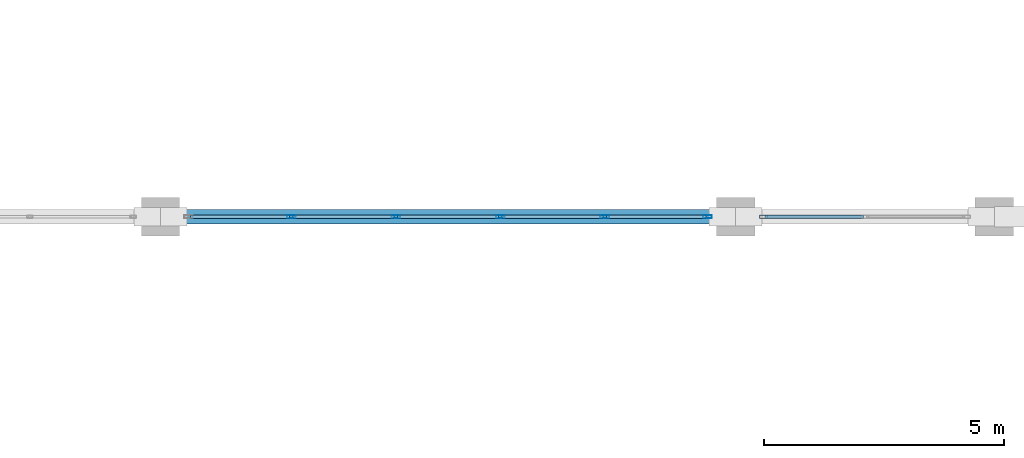
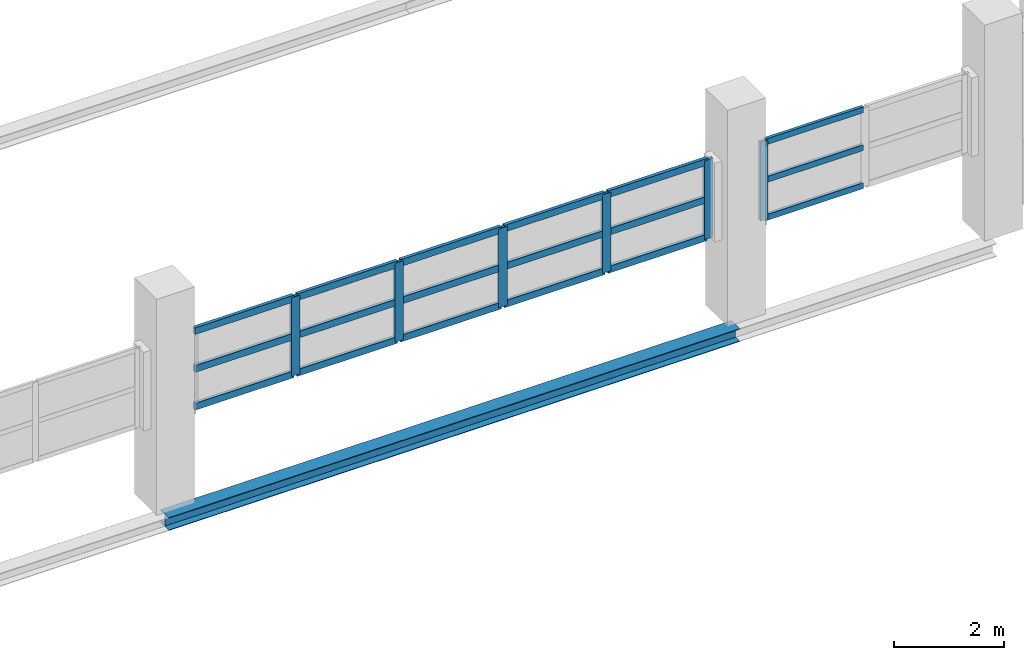
# One storey, part 54 of 86: 24 members, 1 beam, 2 elements without a shape of their own.
"""IFC4 building model written with IfcOpenShell, lengths in metres."""

from ifc_helpers import new_model, si_unit, direction, frame, origin, origin_2d, place, context, subcontext, project, spatial, hollow_rectangle, i_section, extrude, material, layer, layer_set, material_profile, profile_set, type_object, element, aggregate, save


model = new_model("IFC4")

# Units and contexts
model_context = context("Model", 3, precision=1e-05, world=origin(), true_north=direction((0.0, 1.0)))
body_context = subcontext(model_context, "Body", "Model", "MODEL_VIEW")
ifc_project = project(units=[si_unit("LENGTHUNIT", "METRE"), si_unit("AREAUNIT", "SQUARE_METRE"), si_unit("VOLUMEUNIT", "CUBIC_METRE"), si_unit("PLANEANGLEUNIT", "RADIAN"), si_unit("MASSUNIT", "GRAM", prefix="KILO")], contexts=[model_context])

# Site, building, storey
site_placement = place(None, origin())
site = spatial("IfcSite", under=ifc_project, at=site_placement, CompositionType="ELEMENT")
building_placement = place(site_placement, origin())
building = spatial("IfcBuilding", under=site, at=building_placement, Name="Zilviju Railside Exhibition Hall", CompositionType="ELEMENT")
storey_placement = place(building_placement, frame((0.0, 0.0, 12.60009765625)))
storey = spatial("IfcBuildingStorey", under=building, at=storey_placement, Name="L04", CompositionType="ELEMENT", Elevation=12.60009765625)

# Beam
ifc_material_1 = material(Name="Steel S355J2", Category="steel")
ifc_material_profile_1 = material_profile(ifc_material_1, i_section(OverallWidth=0.300048828125, OverallDepth=0.2900390625, WebThickness=0.008544921875, FlangeThickness=0.013916015625, at=origin_2d()), Name="HEA 300")
ifc_profile_set_1 = profile_set([ifc_material_profile_1], Name="Steel S355J2")
beam_type = type_object("IfcBeamType", Name="BM-HEA300", PredefinedType="SPANDREL", material=ifc_profile_set_1)
beam_placement = place(storey_placement, frame((108.0, 138.0, -0.485107421875), z_axis=(1.0, 0.0, 0.0), x_axis=(0.0, 1.0, 0.0)))
element("IfcBeam", 1, at=beam_placement, inside=storey, type_object=beam_type, Name="Primary Girder L04 Y=138.0 (108.0..120.0)", PredefinedType="SPANDREL", context=body_context, shape_type="SweptSolid", body=[
    extrude(i_section(OverallWidth=0.300048828125, OverallDepth=0.2900390625, WebThickness=0.008544921875, FlangeThickness=0.013916015625, at=origin_2d()), origin(), (0.0, 0.0, 1.0), 12.0),
])

# Curtain wall, member
ifc_material_2 = material(Name="Thermally broken aluminium-steel triple-glazed curtain wall", Category="steel")
ifc_layer_1 = layer(ifc_material_2, 0.179931640625)
ifc_layer_set_1 = layer_set([ifc_layer_1], Name="Thermally broken aluminium-steel triple-glazed curtain wall")
curtain_wall_type_1 = type_object("IfcCurtainWallType", Name="CW-BAY-04", PredefinedType="USERDEFINED", material=ifc_layer_set_1)
curtain_wall_1_placement = place(storey_placement, origin())
curtain_wall_1 = element("IfcCurtainWall", 2, at=curtain_wall_1_placement, inside=storey, type_object=curtain_wall_type_1, Name="North Hall Clerestory Curtain Wall L04 (120..125)", ObjectType="GLAZED CURTAIN WALL", PredefinedType="USERDEFINED")
ifc_material_3 = material(Name="Thermally broken anodized aluminium mullion", Category="aluminium")
ifc_material_profile_2 = material_profile(ifc_material_3, hollow_rectangle(XDim=0.06494140625, YDim=0.159912109375, WallThickness=0.0048828125, at=origin_2d()), Name="MULLION 160x65x5")
ifc_profile_set_2 = profile_set([ifc_material_profile_2], Name="Thermally broken anodized aluminium mullion")
member_type_1 = type_object("IfcMemberType", Name="CWM-65x160", PredefinedType="MULLION", material=ifc_profile_set_2)
member_1_placement = place(storey_placement, frame((120.58251953125, 138.0, 1.7998046875), z_axis=(0.0, 0.0, 1.0), x_axis=(0.0, 1.0, 0.0)))
member_1 = element("IfcMember", 3, at=member_1_placement, type_object=member_type_1, Name="CW-04 mullion 1", PredefinedType="MULLION", context=body_context, shape_type="SweptSolid", body=[
    extrude(hollow_rectangle(XDim=0.06494140625, YDim=0.159912109375, WallThickness=0.0048828125, at=origin_2d()), origin(), (0.0, 0.0, 1.0), 1.75),
])

# Curtain wall, members
ifc_layer_2 = layer(ifc_material_2, 0.179931640625)
ifc_layer_set_2 = layer_set([ifc_layer_2], Name="Thermally broken aluminium-steel triple-glazed curtain wall")
curtain_wall_type_2 = type_object("IfcCurtainWallType", Name="CW-BAY-03", PredefinedType="USERDEFINED", material=ifc_layer_set_2)
curtain_wall_2_placement = place(storey_placement, origin())
curtain_wall_2 = element("IfcCurtainWall", 4, at=curtain_wall_2_placement, inside=storey, type_object=curtain_wall_type_2, Name="North Hall Clerestory Curtain Wall L04 (108..120)", ObjectType="GLAZED CURTAIN WALL", PredefinedType="USERDEFINED")
ifc_material_profile_3 = material_profile(ifc_material_3, hollow_rectangle(XDim=0.070068359375, YDim=0.179931640625, WallThickness=0.0048828125, at=origin_2d()), Name="MULLION 180x70x5")
ifc_profile_set_3 = profile_set([ifc_material_profile_3], Name="Thermally broken anodized aluminium mullion")
member_type_2 = type_object("IfcMemberType", Name="CWM-70x180", PredefinedType="MULLION", material=ifc_profile_set_3)
member_2_placement = place(storey_placement, frame((110.72998046875, 138.0, 1.7998046875), z_axis=(0.0, 0.0, 1.0), x_axis=(0.0, 1.0, 0.0)))
member_2 = element("IfcMember", 5, at=member_2_placement, type_object=member_type_2, Name="CW-03 mullion 2", PredefinedType="MULLION", context=body_context, shape_type="SweptSolid", body=[
    extrude(hollow_rectangle(XDim=0.070068359375, YDim=0.179931640625, WallThickness=0.0048828125, at=origin_2d()), origin(), (0.0, 0.0, 1.0), 1.75),
])
member_3_placement = place(storey_placement, frame((112.909912109375, 138.0, 1.7998046875), z_axis=(0.0, 0.0, 1.0), x_axis=(0.0, 1.0, 0.0)))
member_3 = element("IfcMember", 6, at=member_3_placement, type_object=member_type_2, Name="CW-03 mullion 3", PredefinedType="MULLION", context=body_context, shape_type="SweptSolid", body=[
    extrude(hollow_rectangle(XDim=0.070068359375, YDim=0.179931640625, WallThickness=0.0048828125, at=origin_2d()), origin(), (0.0, 0.0, 1.0), 1.75),
])
member_4_placement = place(storey_placement, frame((115.090087890625, 138.0, 1.7998046875), z_axis=(0.0, 0.0, 1.0), x_axis=(0.0, 1.0, 0.0)))
member_4 = element("IfcMember", 7, at=member_4_placement, type_object=member_type_2, Name="CW-03 mullion 4", PredefinedType="MULLION", context=body_context, shape_type="SweptSolid", body=[
    extrude(hollow_rectangle(XDim=0.070068359375, YDim=0.179931640625, WallThickness=0.0048828125, at=origin_2d()), origin(), (0.0, 0.0, 1.0), 1.75),
])
member_5_placement = place(storey_placement, frame((117.27001953125, 138.0, 1.7998046875), z_axis=(0.0, 0.0, 1.0), x_axis=(0.0, 1.0, 0.0)))
member_5 = element("IfcMember", 8, at=member_5_placement, type_object=member_type_2, Name="CW-03 mullion 5", PredefinedType="MULLION", context=body_context, shape_type="SweptSolid", body=[
    extrude(hollow_rectangle(XDim=0.070068359375, YDim=0.179931640625, WallThickness=0.0048828125, at=origin_2d()), origin(), (0.0, 0.0, 1.0), 1.75),
])
member_6_placement = place(storey_placement, frame((119.4150390625, 138.0, 1.7998046875), z_axis=(0.0, 0.0, 1.0), x_axis=(0.0, 1.0, 0.0)))
member_6 = element("IfcMember", 9, at=member_6_placement, type_object=member_type_2, Name="CW-03 mullion 6", PredefinedType="MULLION", context=body_context, shape_type="SweptSolid", body=[
    extrude(hollow_rectangle(XDim=0.070068359375, YDim=0.179931640625, WallThickness=0.0048828125, at=origin_2d()), origin(), (0.0, 0.0, 1.0), 1.75),
])

# Member
ifc_material_4 = material(Name="Thermally broken anodized aluminium transom", Category="aluminium")
ifc_material_profile_4 = material_profile(ifc_material_4, hollow_rectangle(XDim=0.06494140625, YDim=0.1298828125, WallThickness=0.0048828125, at=origin_2d()), Name="TRANSOM 130x65x5")
ifc_profile_set_4 = profile_set([ifc_material_profile_4], Name="Thermally broken anodized aluminium transom")
member_type_3 = type_object("IfcMemberType", Name="CWT-65x130", PredefinedType="USERDEFINED", material=ifc_profile_set_4)
member_7_placement = place(storey_placement, frame((120.614990234375, 138.0, 1.83251953125), z_axis=(1.0, 0.0, 0.0), x_axis=(0.0, 1.0, 0.0)))
member_7 = element("IfcMember", 10, at=member_7_placement, type_object=member_type_3, Name="CW-04 transom 1.1", ObjectType="TRANSOM", PredefinedType="USERDEFINED", context=body_context, shape_type="SweptSolid", body=[
    extrude(hollow_rectangle(XDim=0.06494140625, YDim=0.1298828125, WallThickness=0.0048828125, at=origin_2d()), origin(), (0.0, 0.0, 1.0), 2.052490234375),
])

member_8_placement = place(storey_placement, frame((120.614990234375, 138.0, 2.6748046875), z_axis=(1.0, 0.0, 0.0), x_axis=(0.0, 1.0, 0.0)))
member_8 = element("IfcMember", 11, at=member_8_placement, type_object=member_type_3, Name="CW-04 transom 1.2", ObjectType="TRANSOM", PredefinedType="USERDEFINED", context=body_context, shape_type="SweptSolid", body=[
    extrude(hollow_rectangle(XDim=0.06494140625, YDim=0.1298828125, WallThickness=0.0048828125, at=origin_2d()), origin(), (0.0, 0.0, 1.0), 2.052490234375),
])

member_9_placement = place(storey_placement, frame((120.614990234375, 138.0, 3.517333984375), z_axis=(1.0, 0.0, 0.0), x_axis=(0.0, 1.0, 0.0)))
member_9 = element("IfcMember", 12, at=member_9_placement, type_object=member_type_3, Name="CW-04 transom 1.3", ObjectType="TRANSOM", PredefinedType="USERDEFINED", context=body_context, shape_type="SweptSolid", body=[
    extrude(hollow_rectangle(XDim=0.06494140625, YDim=0.1298828125, WallThickness=0.0048828125, at=origin_2d()), origin(), (0.0, 0.0, 1.0), 2.052490234375),
])

aggregate(curtain_wall_1, [member_1, member_7, member_8, member_9])

ifc_material_profile_5 = material_profile(ifc_material_4, hollow_rectangle(XDim=0.070068359375, YDim=0.14990234375, WallThickness=0.0048828125, at=origin_2d()), Name="TRANSOM 150x70x5")
ifc_profile_set_5 = profile_set([ifc_material_profile_5], Name="Thermally broken anodized aluminium transom")
member_type_4 = type_object("IfcMemberType", Name="CWT-70x150", PredefinedType="USERDEFINED", material=ifc_profile_set_5)
member_10_placement = place(storey_placement, frame((108.6201171875, 138.0, 1.8349609375), z_axis=(1.0, 0.0, 0.0), x_axis=(0.0, 1.0, 0.0)))
member_10 = element("IfcMember", 13, at=member_10_placement, type_object=member_type_4, Name="CW-03 transom 1.1", ObjectType="TRANSOM", PredefinedType="USERDEFINED", context=body_context, shape_type="SweptSolid", body=[
    extrude(hollow_rectangle(XDim=0.070068359375, YDim=0.14990234375, WallThickness=0.0048828125, at=origin_2d()), origin(), (0.0, 0.0, 1.0), 2.074951171875),
])

member_11_placement = place(storey_placement, frame((108.6201171875, 138.0, 2.6748046875), z_axis=(1.0, 0.0, 0.0), x_axis=(0.0, 1.0, 0.0)))
member_11 = element("IfcMember", 14, at=member_11_placement, type_object=member_type_4, Name="CW-03 transom 1.2", ObjectType="TRANSOM", PredefinedType="USERDEFINED", context=body_context, shape_type="SweptSolid", body=[
    extrude(hollow_rectangle(XDim=0.070068359375, YDim=0.14990234375, WallThickness=0.0048828125, at=origin_2d()), origin(), (0.0, 0.0, 1.0), 2.074951171875),
])

member_12_placement = place(storey_placement, frame((108.6201171875, 138.0, 3.514892578125), z_axis=(1.0, 0.0, 0.0), x_axis=(0.0, 1.0, 0.0)))
member_12 = element("IfcMember", 15, at=member_12_placement, type_object=member_type_4, Name="CW-03 transom 1.3", ObjectType="TRANSOM", PredefinedType="USERDEFINED", context=body_context, shape_type="SweptSolid", body=[
    extrude(hollow_rectangle(XDim=0.070068359375, YDim=0.14990234375, WallThickness=0.0048828125, at=origin_2d()), origin(), (0.0, 0.0, 1.0), 2.074951171875),
])

member_13_placement = place(storey_placement, frame((110.764892578125, 138.0, 1.8349609375), z_axis=(1.0, 0.0, 0.0), x_axis=(0.0, 1.0, 0.0)))
member_13 = element("IfcMember", 16, at=member_13_placement, type_object=member_type_4, Name="CW-03 transom 2.1", ObjectType="TRANSOM", PredefinedType="USERDEFINED", context=body_context, shape_type="SweptSolid", body=[
    extrude(hollow_rectangle(XDim=0.070068359375, YDim=0.14990234375, WallThickness=0.0048828125, at=origin_2d()), origin(), (0.0, 0.0, 1.0), 2.110107421875),
])

member_14_placement = place(storey_placement, frame((110.764892578125, 138.0, 2.6748046875), z_axis=(1.0, 0.0, 0.0), x_axis=(0.0, 1.0, 0.0)))
member_14 = element("IfcMember", 17, at=member_14_placement, type_object=member_type_4, Name="CW-03 transom 2.2", ObjectType="TRANSOM", PredefinedType="USERDEFINED", context=body_context, shape_type="SweptSolid", body=[
    extrude(hollow_rectangle(XDim=0.070068359375, YDim=0.14990234375, WallThickness=0.0048828125, at=origin_2d()), origin(), (0.0, 0.0, 1.0), 2.110107421875),
])

member_15_placement = place(storey_placement, frame((110.764892578125, 138.0, 3.514892578125), z_axis=(1.0, 0.0, 0.0), x_axis=(0.0, 1.0, 0.0)))
member_15 = element("IfcMember", 18, at=member_15_placement, type_object=member_type_4, Name="CW-03 transom 2.3", ObjectType="TRANSOM", PredefinedType="USERDEFINED", context=body_context, shape_type="SweptSolid", body=[
    extrude(hollow_rectangle(XDim=0.070068359375, YDim=0.14990234375, WallThickness=0.0048828125, at=origin_2d()), origin(), (0.0, 0.0, 1.0), 2.110107421875),
])

member_16_placement = place(storey_placement, frame((112.945068359375, 138.0, 1.8349609375), z_axis=(1.0, 0.0, 0.0), x_axis=(0.0, 1.0, 0.0)))
member_16 = element("IfcMember", 19, at=member_16_placement, type_object=member_type_4, Name="CW-03 transom 3.1", ObjectType="TRANSOM", PredefinedType="USERDEFINED", context=body_context, shape_type="SweptSolid", body=[
    extrude(hollow_rectangle(XDim=0.070068359375, YDim=0.14990234375, WallThickness=0.0048828125, at=origin_2d()), origin(), (0.0, 0.0, 1.0), 2.10986328125),
])

member_17_placement = place(storey_placement, frame((112.945068359375, 138.0, 2.6748046875), z_axis=(1.0, 0.0, 0.0), x_axis=(0.0, 1.0, 0.0)))
member_17 = element("IfcMember", 20, at=member_17_placement, type_object=member_type_4, Name="CW-03 transom 3.2", ObjectType="TRANSOM", PredefinedType="USERDEFINED", context=body_context, shape_type="SweptSolid", body=[
    extrude(hollow_rectangle(XDim=0.070068359375, YDim=0.14990234375, WallThickness=0.0048828125, at=origin_2d()), origin(), (0.0, 0.0, 1.0), 2.10986328125),
])

member_18_placement = place(storey_placement, frame((112.945068359375, 138.0, 3.514892578125), z_axis=(1.0, 0.0, 0.0), x_axis=(0.0, 1.0, 0.0)))
member_18 = element("IfcMember", 21, at=member_18_placement, type_object=member_type_4, Name="CW-03 transom 3.3", ObjectType="TRANSOM", PredefinedType="USERDEFINED", context=body_context, shape_type="SweptSolid", body=[
    extrude(hollow_rectangle(XDim=0.070068359375, YDim=0.14990234375, WallThickness=0.0048828125, at=origin_2d()), origin(), (0.0, 0.0, 1.0), 2.10986328125),
])

member_19_placement = place(storey_placement, frame((115.125, 138.0, 1.8349609375), z_axis=(1.0, 0.0, 0.0), x_axis=(0.0, 1.0, 0.0)))
member_19 = element("IfcMember", 22, at=member_19_placement, type_object=member_type_4, Name="CW-03 transom 4.1", ObjectType="TRANSOM", PredefinedType="USERDEFINED", context=body_context, shape_type="SweptSolid", body=[
    extrude(hollow_rectangle(XDim=0.070068359375, YDim=0.14990234375, WallThickness=0.0048828125, at=origin_2d()), origin(), (0.0, 0.0, 1.0), 2.110107421875),
])

member_20_placement = place(storey_placement, frame((115.125, 138.0, 2.6748046875), z_axis=(1.0, 0.0, 0.0), x_axis=(0.0, 1.0, 0.0)))
member_20 = element("IfcMember", 23, at=member_20_placement, type_object=member_type_4, Name="CW-03 transom 4.2", ObjectType="TRANSOM", PredefinedType="USERDEFINED", context=body_context, shape_type="SweptSolid", body=[
    extrude(hollow_rectangle(XDim=0.070068359375, YDim=0.14990234375, WallThickness=0.0048828125, at=origin_2d()), origin(), (0.0, 0.0, 1.0), 2.110107421875),
])

member_21_placement = place(storey_placement, frame((115.125, 138.0, 3.514892578125), z_axis=(1.0, 0.0, 0.0), x_axis=(0.0, 1.0, 0.0)))
member_21 = element("IfcMember", 24, at=member_21_placement, type_object=member_type_4, Name="CW-03 transom 4.3", ObjectType="TRANSOM", PredefinedType="USERDEFINED", context=body_context, shape_type="SweptSolid", body=[
    extrude(hollow_rectangle(XDim=0.070068359375, YDim=0.14990234375, WallThickness=0.0048828125, at=origin_2d()), origin(), (0.0, 0.0, 1.0), 2.110107421875),
])

member_22_placement = place(storey_placement, frame((117.304931640625, 138.0, 1.8349609375), z_axis=(1.0, 0.0, 0.0), x_axis=(0.0, 1.0, 0.0)))
member_22 = element("IfcMember", 25, at=member_22_placement, type_object=member_type_4, Name="CW-03 transom 5.1", ObjectType="TRANSOM", PredefinedType="USERDEFINED", context=body_context, shape_type="SweptSolid", body=[
    extrude(hollow_rectangle(XDim=0.070068359375, YDim=0.14990234375, WallThickness=0.0048828125, at=origin_2d()), origin(), (0.0, 0.0, 1.0), 2.074951171875),
])

member_23_placement = place(storey_placement, frame((117.304931640625, 138.0, 2.6748046875), z_axis=(1.0, 0.0, 0.0), x_axis=(0.0, 1.0, 0.0)))
member_23 = element("IfcMember", 26, at=member_23_placement, type_object=member_type_4, Name="CW-03 transom 5.2", ObjectType="TRANSOM", PredefinedType="USERDEFINED", context=body_context, shape_type="SweptSolid", body=[
    extrude(hollow_rectangle(XDim=0.070068359375, YDim=0.14990234375, WallThickness=0.0048828125, at=origin_2d()), origin(), (0.0, 0.0, 1.0), 2.074951171875),
])

member_24_placement = place(storey_placement, frame((117.304931640625, 138.0, 3.514892578125), z_axis=(1.0, 0.0, 0.0), x_axis=(0.0, 1.0, 0.0)))
member_24 = element("IfcMember", 27, at=member_24_placement, type_object=member_type_4, Name="CW-03 transom 5.3", ObjectType="TRANSOM", PredefinedType="USERDEFINED", context=body_context, shape_type="SweptSolid", body=[
    extrude(hollow_rectangle(XDim=0.070068359375, YDim=0.14990234375, WallThickness=0.0048828125, at=origin_2d()), origin(), (0.0, 0.0, 1.0), 2.074951171875),
])

aggregate(curtain_wall_2, [member_2, member_3, member_4, member_5, member_6, member_10, member_11, member_12, member_13, member_14, member_15, member_16, member_17, member_18, member_19, member_20, member_21, member_22, member_23, member_24])

save(model, "model.ifc")
